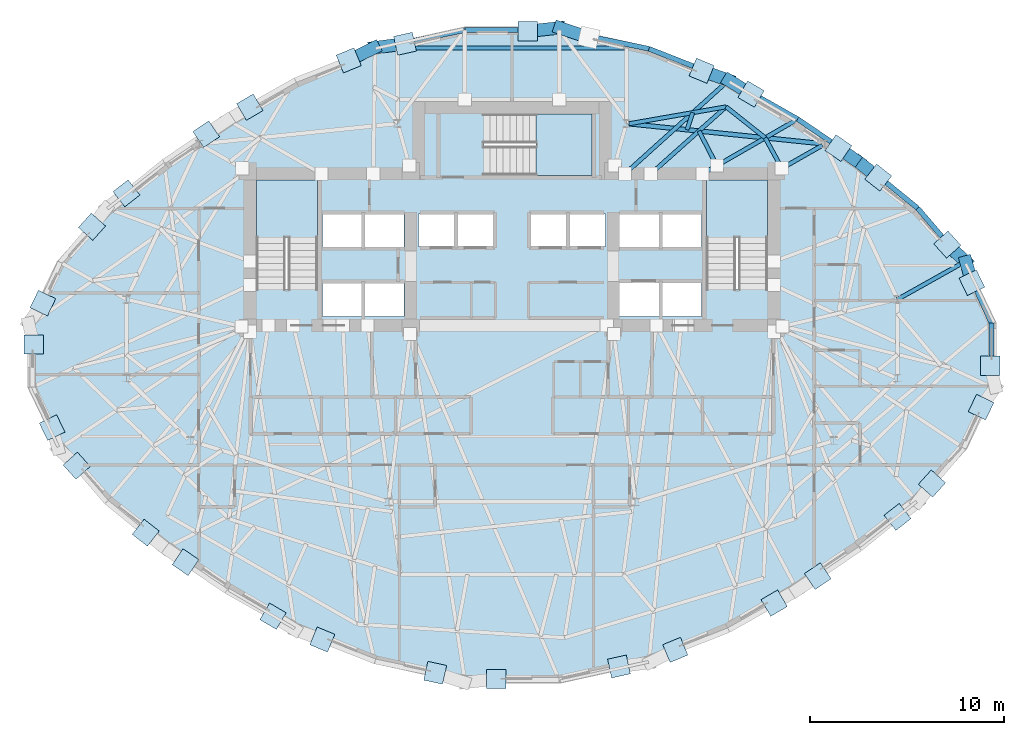
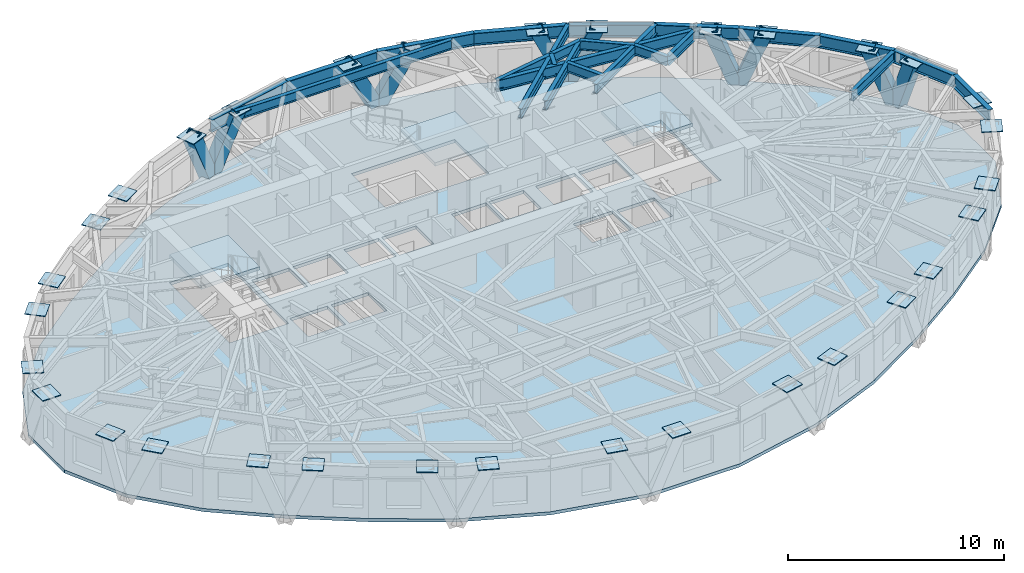
# One storey, part 4 of 14: 31 plates, 22 beams, 10 members, 4 slabs, 3 elements without a shape of their own.
"""IFC4 building model written with IfcOpenShell, lengths in metres."""

from ifc_helpers import new_model, si_unit, direction, frame, origin, origin_2d, place, context, subcontext, project, spatial, polyline, rectangle, hollow_rectangle, i_section, outline, extrude, material, layer, layer_set, material_profile, profile_set, type_object, element, aggregate, save


model = new_model("IFC4")

# Units and contexts
model_context = context("Model", 3, precision=1e-05, world=origin(), true_north=direction((0.0, 1.0)))
body_context = subcontext(model_context, "Body", "Model", "MODEL_VIEW")
ifc_project = project(units=[si_unit("LENGTHUNIT", "METRE"), si_unit("AREAUNIT", "SQUARE_METRE"), si_unit("VOLUMEUNIT", "CUBIC_METRE"), si_unit("PLANEANGLEUNIT", "RADIAN"), si_unit("MASSUNIT", "GRAM", prefix="KILO")], contexts=[model_context])

# Site, building, storey
site_placement = place(None, origin())
site = spatial("IfcSite", under=ifc_project, at=site_placement, CompositionType="ELEMENT")
building_placement = place(site_placement, origin())
building = spatial("IfcBuilding", under=site, at=building_placement, Name="Keldmark Tower", CompositionType="ELEMENT")
storey_placement = place(building_placement, frame((0.0, 0.0, 185.39990234375)))
storey = spatial("IfcBuildingStorey", under=building, at=storey_placement, Name="L51", CompositionType="ELEMENT", Elevation=185.39990234375)

# Members
ifc_material_1 = material(Name="Steel ASTM A572 Grade 50", Category="steel")
ifc_material_profile_1 = material_profile(ifc_material_1, hollow_rectangle(XDim=0.64990234375, YDim=0.64990234375, WallThickness=0.0400390625, at=origin_2d()), Name="BOX650X650X40")
ifc_profile_set_1 = profile_set([ifc_material_profile_1], Name="Steel ASTM A572 Grade 50")
member_type = type_object("IfcMemberType", Name="Diagrid Zone 3 Brace BOX650X650X40", PredefinedType="BRACE", material=ifc_profile_set_1)
member_1_placement = place(storey_placement, frame((23.350830078125, 4.808349609375, -0.260009765625), z_axis=(0.089996271343, -0.321904138841, 0.942485223514), x_axis=(0.963070279152, 0.269250139116, 0.0)))
element("IfcMember", 1, at=member_1_placement, inside=storey, type_object=member_type, Name="L51 Perimeter Diagrid Brace 01A", PredefinedType="BRACE", context=body_context, shape_type="SweptSolid", body=[
    extrude(hollow_rectangle(XDim=0.64990234375, YDim=0.64990234375, WallThickness=0.0400390625, at=origin_2d()), origin(), (0.0, 0.0, 1.0), 3.35302734375),
])
member_2_placement = place(storey_placement, frame((23.353271484375, 4.796875, -0.260009765625), z_axis=(-0.281525209892, 0.260621285285, 0.923482594233), x_axis=(-0.67933756966, -0.733825910178, 0.0)))
element("IfcMember", 2, at=member_2_placement, inside=storey, type_object=member_type, Name="L51 Perimeter Diagrid Brace 01B", PredefinedType="BRACE", context=body_context, shape_type="SweptSolid", body=[
    extrude(hollow_rectangle(XDim=0.64990234375, YDim=0.64990234375, WallThickness=0.0400390625, at=origin_2d()), origin(), (0.0, 0.0, 1.0), 3.422119140625),
])
member_3_placement = place(storey_placement, frame((17.83837890625, 9.92578125, -0.260009765625), z_axis=(0.293490817349, -0.232528970738, 0.927250461256), x_axis=(0.621001812969, 0.78380912746, 0.0)))
element("IfcMember", 3, at=member_3_placement, inside=storey, type_object=member_type, Name="L51 Perimeter Diagrid Brace 02A", PredefinedType="BRACE", context=body_context, shape_type="SweptSolid", body=[
    extrude(hollow_rectangle(XDim=0.64990234375, YDim=0.64990234375, WallThickness=0.0400390625, at=origin_2d()), origin(), (0.0, 0.0, 1.0), 3.408203125),
])
member_4_placement = place(storey_placement, frame((17.8447265625, 9.916015625, -0.260009765625), z_axis=(-0.309430644364, 0.215041416816, 0.926288219391), x_axis=(-0.570680492407, -0.821172196063, 0.0)))
element("IfcMember", 4, at=member_4_placement, inside=storey, type_object=member_type, Name="L51 Perimeter Diagrid Brace 02B", PredefinedType="BRACE", context=body_context, shape_type="SweptSolid", body=[
    extrude(hollow_rectangle(XDim=0.64990234375, YDim=0.64990234375, WallThickness=0.0400390625, at=origin_2d()), origin(), (0.0, 0.0, 1.0), 3.41162109375),
])
member_5_placement = place(storey_placement, frame((11.1455078125, 14.137939453125, -0.260009765625), z_axis=(0.33433872964, -0.206244226975, 0.919609119519), x_axis=(0.525015355941, 0.851092754068, 0.0)))
element("IfcMember", 5, at=member_5_placement, inside=storey, type_object=member_type, Name="L51 Perimeter Diagrid Brace 03A", PredefinedType="BRACE", context=body_context, shape_type="SweptSolid", body=[
    extrude(hollow_rectangle(XDim=0.64990234375, YDim=0.64990234375, WallThickness=0.0400390625, at=origin_2d()), origin(), (0.0, 0.0, 1.0), 3.4365234375),
])
member_6_placement = place(storey_placement, frame((11.1552734375, 14.13134765625, -0.260009765625), z_axis=(-0.400790051436, 0.142220335768, 0.905063926341), x_axis=(-0.334419266323, -0.942424402439, 0.0)))
element("IfcMember", 6, at=member_6_placement, inside=storey, type_object=member_type, Name="L51 Perimeter Diagrid Brace 03B", PredefinedType="BRACE", context=body_context, shape_type="SweptSolid", body=[
    extrude(hollow_rectangle(XDim=0.64990234375, YDim=0.64990234375, WallThickness=0.0400390625, at=origin_2d()), origin(), (0.0, 0.0, 1.0), 3.49169921875),
])
member_7_placement = place(storey_placement, frame((2.437255859375, 16.83837890625, -0.260009765625), z_axis=(0.427772819315, -0.141188481319, 0.892791256565), x_axis=(0.313424400134, 0.949613155659, 0.0)))
element("IfcMember", 7, at=member_7_placement, inside=storey, type_object=member_type, Name="L51 Perimeter Diagrid Brace 04A", PredefinedType="BRACE", context=body_context, shape_type="SweptSolid", body=[
    extrude(hollow_rectangle(XDim=0.64990234375, YDim=0.64990234375, WallThickness=0.0400390625, at=origin_2d()), origin(), (0.0, 0.0, 1.0), 3.53955078125),
])
member_8_placement = place(storey_placement, frame((2.44873046875, 16.836181640625, -0.260009765625), z_axis=(-0.461153767869, -0.050235509887, 0.885897057183), x_axis=(0.10829375195, -0.9941189382, 0.0)))
element("IfcMember", 8, at=member_8_placement, inside=storey, type_object=member_type, Name="L51 Perimeter Diagrid Brace 04B", PredefinedType="BRACE", context=body_context, shape_type="SweptSolid", body=[
    extrude(hollow_rectangle(XDim=0.64990234375, YDim=0.64990234375, WallThickness=0.0400390625, at=origin_2d()), origin(), (0.0, 0.0, 1.0), 3.567138671875),
])
member_9_placement = place(storey_placement, frame((-7.095703125, 15.81103515625, -0.260009765625), z_axis=(0.449219216168, 0.057788243233, 0.891550679866), x_axis=(-0.127590131291, 0.991826980071, 0.0)))
element("IfcMember", 9, at=member_9_placement, inside=storey, type_object=member_type, Name="L51 Perimeter Diagrid Brace 05A", PredefinedType="BRACE", context=body_context, shape_type="SweptSolid", body=[
    extrude(hollow_rectangle(XDim=0.64990234375, YDim=0.64990234375, WallThickness=0.0400390625, at=origin_2d()), origin(), (0.0, 0.0, 1.0), 3.544677734375),
])
member_10_placement = place(storey_placement, frame((-7.083984375, 15.813232421875, -0.260009765625), z_axis=(-0.377487237474, -0.187342404047, 0.906866147339), x_axis=(0.44455162306, -0.895753233003, 0.0)))
element("IfcMember", 10, at=member_10_placement, inside=storey, type_object=member_type, Name="L51 Perimeter Diagrid Brace 05B", PredefinedType="BRACE", context=body_context, shape_type="SweptSolid", body=[
    extrude(hollow_rectangle(XDim=0.64990234375, YDim=0.64990234375, WallThickness=0.0400390625, at=origin_2d()), origin(), (0.0, 0.0, 1.0), 3.484619140625),
])

# Beams
ifc_material_2 = material(Name="Steel ASTM A992 Grade 50", Category="steel")
ifc_material_profile_2 = material_profile(ifc_material_2, i_section(OverallWidth=0.22900390625, OverallDepth=0.612060546875, WebThickness=0.011962890625, FlangeThickness=0.01953125, at=origin_2d()), Name="W24X84")
ifc_profile_set_2 = profile_set([ifc_material_profile_2], Name="Steel ASTM A992 Grade 50")
beam_type_1 = type_object("IfcBeamType", Name="Primary Floor Girder W24X84", PredefinedType="BEAM", material=ifc_profile_set_2)
beam_1_placement = place(storey_placement, frame((15.942138671875, 10.87548828125, 2.714111328125), z_axis=(-0.994702930931, 0.102791435423, 0.0), x_axis=(-0.102791435423, -0.994702930931, 0.0)))
element("IfcBeam", 11, at=beam_1_placement, inside=storey, type_object=beam_type_1, Name="L51 Floor Ring Girder FG-R02", PredefinedType="BEAM", context=body_context, shape_type="SweptSolid", body=[
    extrude(i_section(OverallWidth=0.22900390625, OverallDepth=0.612060546875, WebThickness=0.011962890625, FlangeThickness=0.01953125, at=origin_2d()), origin(), (0.0, 0.0, 1.0), 9.975341796875),
])
ifc_material_3 = material(Name="Steel ASTM A992 Grade 50", Category="steel")
ifc_material_profile_3 = material_profile(ifc_material_3, i_section(OverallWidth=0.2099609375, OverallDepth=0.537109375, WebThickness=0.010986328125, FlangeThickness=0.017333984375, at=origin_2d()), Name="W21X68")
ifc_profile_set_3 = profile_set([ifc_material_profile_3], Name="Steel ASTM A992 Grade 50")
beam_type_2 = type_object("IfcBeamType", Name="Radial Tie Girder W21X68", PredefinedType="BEAM", material=ifc_profile_set_3)
beam_2_placement = place(storey_placement, frame((15.959716796875, 10.791748046875, 2.751708984375), z_axis=(-0.86929527307, -0.494293160197, 0.0), x_axis=(0.494293160197, -0.86929527307, 0.0)))
element("IfcBeam", 12, at=beam_2_placement, inside=storey, type_object=beam_type_2, Name="L51 Floor Radial Girder FG-C02", PredefinedType="BEAM", context=body_context, shape_type="SweptSolid", body=[
    extrude(i_section(OverallWidth=0.2099609375, OverallDepth=0.537109375, WebThickness=0.010986328125, FlangeThickness=0.017333984375, at=origin_2d()), origin(), (0.0, 0.0, 1.0), 2.39453125),
])
beam_3_placement = place(storey_placement, frame((19.828369140625, 2.869140625, 2.751708984375), z_axis=(0.872492831693, 0.488626911502, 0.0), x_axis=(-0.488626911502, 0.872492831693, 0.0)))
element("IfcBeam", 13, at=beam_3_placement, inside=storey, type_object=beam_type_2, Name="L51 Perimeter Column Bracket RT-02", PredefinedType="BEAM", context=body_context, shape_type="SweptSolid", body=[
    extrude(i_section(OverallWidth=0.2099609375, OverallDepth=0.537109375, WebThickness=0.010986328125, FlangeThickness=0.017333984375, at=origin_2d()), origin(), (0.0, 0.0, 1.0), 3.789306640625),
])
beam_4_placement = place(storey_placement, frame((13.878173828125, 9.608154296875, 2.751708984375), z_axis=(-0.478631933321, 0.878015644739, 0.0), x_axis=(-0.878015644739, -0.478631933321, 0.0)))
element("IfcBeam", 14, at=beam_4_placement, inside=storey, type_object=beam_type_2, Name="L51 Framing Pin Header PH-014", PredefinedType="BEAM", context=body_context, shape_type="SweptSolid", body=[
    extrude(i_section(OverallWidth=0.2099609375, OverallDepth=0.537109375, WebThickness=0.010986328125, FlangeThickness=0.017333984375, at=origin_2d()), origin(), (0.0, 0.0, 1.0), 1.786865234375),
])
beam_5_placement = place(storey_placement, frame((9.8037109375, 9.324951171875, 2.751708984375), z_axis=(0.866785686399, 0.498680833654, 0.0), x_axis=(-0.498680833654, 0.866785686399, 0.0)))
element("IfcBeam", 15, at=beam_5_placement, inside=storey, type_object=beam_type_2, Name="L51 Perimeter Radial Tie Girder RT-05", PredefinedType="BEAM", context=body_context, shape_type="SweptSolid", body=[
    extrude(i_section(OverallWidth=0.2099609375, OverallDepth=0.537109375, WebThickness=0.010986328125, FlangeThickness=0.017333984375, at=origin_2d()), origin(), (0.0, 0.0, 1.0), 5.642822265625),
])
beam_6_placement = place(storey_placement, frame((10.537353515625, 9.7470703125, 2.751708984375), z_axis=(-0.459819989597, 0.888012149222, 0.0), x_axis=(-0.888012149222, -0.459819989597, 0.0)))
element("IfcBeam", 16, at=beam_6_placement, inside=storey, type_object=beam_type_2, Name="L51 Framing Pin Header PH-015", PredefinedType="BEAM", context=body_context, shape_type="SweptSolid", body=[
    extrude(i_section(OverallWidth=0.2099609375, OverallDepth=0.537109375, WebThickness=0.010986328125, FlangeThickness=0.017333984375, at=origin_2d()), origin(), (0.0, 0.0, 1.0), 2.007080078125),
])
beam_7_placement = place(storey_placement, frame((7.139404296875, 9.324951171875, 2.751708984375), z_axis=(0.746790428469, 0.665059437906, 0.0), x_axis=(-0.665059437906, 0.746790428469, 0.0)))
element("IfcBeam", 17, at=beam_7_placement, inside=storey, type_object=beam_type_2, Name="L51 Intermediate Radial Step Girder RT-06M", PredefinedType="BEAM", context=body_context, shape_type="SweptSolid", body=[
    extrude(i_section(OverallWidth=0.2099609375, OverallDepth=0.537109375, WebThickness=0.010986328125, FlangeThickness=0.017333984375, at=origin_2d()), origin(), (0.0, 0.0, 1.0), 5.1826171875),
])
beam_8_placement = place(storey_placement, frame((13.02294921875, 11.177001953125, 2.751708984375), z_axis=(-0.78386459882, 0.620931792323, 0.0), x_axis=(-0.620931792323, -0.78386459882, 0.0)))
element("IfcBeam", 18, at=beam_8_placement, inside=storey, type_object=beam_type_2, Name="L51 Local Collector Chord RT-06C", PredefinedType="BEAM", context=body_context, shape_type="SweptSolid", body=[
    extrude(i_section(OverallWidth=0.2099609375, OverallDepth=0.537109375, WebThickness=0.010986328125, FlangeThickness=0.017333984375, at=origin_2d()), origin(), (0.0, 0.0, 1.0), 2.568359375),
])
beam_9_placement = place(storey_placement, frame((-5.880126953125, 15.79541015625, 2.751708984375), z_axis=(1.0, 0.0, 0.0), x_axis=(0.0, 1.0, 0.0)))
element("IfcBeam", 19, at=beam_9_placement, inside=storey, type_object=beam_type_2, Name="L51 North Outer Header Girder FG-TCN-H1", PredefinedType="BEAM", context=body_context, shape_type="SweptSolid", body=[
    extrude(i_section(OverallWidth=0.2099609375, OverallDepth=0.537109375, WebThickness=0.010986328125, FlangeThickness=0.017333984375, at=origin_2d()), origin(), (0.0, 0.0, 1.0), 11.76025390625),
])
beam_10_placement = place(storey_placement, frame((11.009765625, 12.771728515625, 2.751708984375), z_axis=(-0.985112191737, -0.171912680427, 0.0), x_axis=(0.171912680427, -0.985112191737, 0.0)))
element("IfcBeam", 20, at=beam_10_placement, inside=storey, type_object=beam_type_2, Name="L51 Straddling Support Chord RT-06RB", PredefinedType="BEAM", context=body_context, shape_type="SweptSolid", body=[
    extrude(i_section(OverallWidth=0.2099609375, OverallDepth=0.537109375, WebThickness=0.010986328125, FlangeThickness=0.017333984375, at=origin_2d()), origin(), (0.0, 0.0, 1.0), 5.065673828125),
])
beam_11_placement = place(storey_placement, frame((8.996337890625, 11.59326171875, 2.751708984375), z_axis=(0.324874409582, 0.945757166507, 0.0), x_axis=(-0.945757166507, 0.324874409582, 0.0)))
element("IfcBeam", 21, at=beam_11_placement, inside=storey, type_object=beam_type_2, Name="L51 Framing Pin Header PH-033", PredefinedType="BEAM", context=body_context, shape_type="SweptSolid", body=[
    extrude(i_section(OverallWidth=0.2099609375, OverallDepth=0.537109375, WebThickness=0.010986328125, FlangeThickness=0.017333984375, at=origin_2d()), origin(), (0.0, 0.0, 1.0), 0.930419921875),
])
beam_12_placement = place(storey_placement, frame((5.80712890625, 9.324951171875, 2.751708984375), z_axis=(0.742684848338, 0.669641109885, 0.0), x_axis=(-0.669641109885, 0.742684848338, 0.0)))
element("IfcBeam", 22, at=beam_12_placement, inside=storey, type_object=beam_type_2, Name="L51 Perimeter Radial Tie Girder RT-06R", PredefinedType="BEAM", context=body_context, shape_type="SweptSolid", body=[
    extrude(i_section(OverallWidth=0.2099609375, OverallDepth=0.537109375, WebThickness=0.010986328125, FlangeThickness=0.017333984375, at=origin_2d()), origin(), (0.0, 0.0, 1.0), 7.196044921875),
])
ifc_material_4 = material(Name="Steel ASTM A992 Grade 50", Category="steel")
ifc_material_profile_4 = material_profile(ifc_material_4, i_section(OverallWidth=0.256103515625, OverallDepth=0.693115234375, WebThickness=0.014404296875, FlangeThickness=0.023681640625, at=origin_2d()), Name="W27X114")
ifc_profile_set_4 = profile_set([ifc_material_profile_4], Name="Steel ASTM A992 Grade 50")
beam_type_3 = type_object("IfcBeamType", Name="Spandrel Ring Beam W27X114", PredefinedType="SPANDREL", material=ifc_profile_set_4)
beam_13_placement = place(storey_placement, frame((24.658203125, 1.646484375, 2.673583984375), z_axis=(-0.412583132773, 0.91091995178, 0.0), x_axis=(-0.91091995178, -0.412583132773, 0.0)))
element("IfcBeam", 23, at=beam_13_placement, inside=storey, type_object=beam_type_3, Name="L51 Perimeter Spandrel Ring Beam SRB-01", PredefinedType="SPANDREL", context=body_context, shape_type="SweptSolid", body=[
    extrude(i_section(OverallWidth=0.256103515625, OverallDepth=0.693115234375, WebThickness=0.014404296875, FlangeThickness=0.023681640625, at=origin_2d()), origin(), (0.0, 0.0, 1.0), 3.439208984375),
])
beam_14_placement = place(storey_placement, frame((23.2392578125, 4.779296875, 2.673583984375), z_axis=(-0.649680381306, 0.760207473092, 0.0), x_axis=(-0.760207473092, -0.649680381306, 0.0)))
element("IfcBeam", 24, at=beam_14_placement, inside=storey, type_object=beam_type_3, Name="L51 Perimeter Spandrel Ring Beam SRB-02", PredefinedType="SPANDREL", context=body_context, shape_type="SweptSolid", body=[
    extrude(i_section(OverallWidth=0.256103515625, OverallDepth=0.693115234375, WebThickness=0.014404296875, FlangeThickness=0.023681640625, at=origin_2d()), origin(), (0.0, 0.0, 1.0), 3.657958984375),
])
beam_15_placement = place(storey_placement, frame((20.86279296875, 7.56005859375, 2.673583984375), z_axis=(-0.776176722502, 0.630515420467, 0.0), x_axis=(-0.630515420467, -0.776176722502, 0.0)))
element("IfcBeam", 25, at=beam_15_placement, inside=storey, type_object=beam_type_3, Name="L51 Perimeter Spandrel Ring Beam SRB-03", PredefinedType="SPANDREL", context=body_context, shape_type="SweptSolid", body=[
    extrude(i_section(OverallWidth=0.256103515625, OverallDepth=0.693115234375, WebThickness=0.014404296875, FlangeThickness=0.023681640625, at=origin_2d()), origin(), (0.0, 0.0, 1.0), 3.809814453125),
])
beam_16_placement = place(storey_placement, frame((17.90576171875, 9.962158203125, 2.673583984375), z_axis=(-0.82772633423, 0.56113199483, 0.0), x_axis=(-0.56113199483, -0.82772633423, 0.0)))
element("IfcBeam", 26, at=beam_16_placement, inside=storey, type_object=beam_type_3, Name="L51 Perimeter Spandrel Ring Beam SRB-04", PredefinedType="SPANDREL", context=body_context, shape_type="SweptSolid", body=[
    extrude(i_section(OverallWidth=0.256103515625, OverallDepth=0.693115234375, WebThickness=0.014404296875, FlangeThickness=0.023681640625, at=origin_2d()), origin(), (0.0, 0.0, 1.0), 3.879150390625),
])
beam_17_placement = place(storey_placement, frame((14.69482421875, 12.138916015625, 2.673583984375), z_axis=(-0.870331543701, 0.492466246598, 0.0), x_axis=(-0.492466246598, -0.870331543701, 0.0)))
element("IfcBeam", 27, at=beam_17_placement, inside=storey, type_object=beam_type_3, Name="L51 Perimeter Spandrel Ring Beam SRB-05", PredefinedType="SPANDREL", context=body_context, shape_type="SweptSolid", body=[
    extrude(i_section(OverallWidth=0.256103515625, OverallDepth=0.693115234375, WebThickness=0.014404296875, FlangeThickness=0.023681640625, at=origin_2d()), origin(), (0.0, 0.0, 1.0), 4.071044921875),
])
beam_18_placement = place(storey_placement, frame((11.151611328125, 14.143798828125, 2.673583984375), z_axis=(-0.930785156352, 0.365566673418, 0.0), x_axis=(-0.365566673418, -0.930785156352, 0.0)))
element("IfcBeam", 28, at=beam_18_placement, inside=storey, type_object=beam_type_3, Name="L51 Perimeter Spandrel Ring Beam SRB-06", PredefinedType="SPANDREL", context=body_context, shape_type="SweptSolid", body=[
    extrude(i_section(OverallWidth=0.256103515625, OverallDepth=0.693115234375, WebThickness=0.014404296875, FlangeThickness=0.023681640625, at=origin_2d()), origin(), (0.0, 0.0, 1.0), 4.406982421875),
])
beam_19_placement = place(storey_placement, frame((7.049560546875, 15.7548828125, 2.673583984375), z_axis=(-0.979012682263, 0.2037993326, 0.0), x_axis=(-0.2037993326, -0.979012682263, 0.0)))
element("IfcBeam", 29, at=beam_19_placement, inside=storey, type_object=beam_type_3, Name="L51 Perimeter Spandrel Ring Beam SRB-07", PredefinedType="SPANDREL", context=body_context, shape_type="SweptSolid", body=[
    extrude(i_section(OverallWidth=0.256103515625, OverallDepth=0.693115234375, WebThickness=0.014404296875, FlangeThickness=0.023681640625, at=origin_2d()), origin(), (0.0, 0.0, 1.0), 4.719970703125),
])
beam_20_placement = place(storey_placement, frame((2.4287109375, 16.716796875, 2.673583984375), z_axis=(-1.0, 0.0, 0.0), x_axis=(0.0, -1.0, 0.0)))
element("IfcBeam", 30, at=beam_20_placement, inside=storey, type_object=beam_type_3, Name="L51 Perimeter Spandrel Ring Beam SRB-08", PredefinedType="SPANDREL", context=body_context, shape_type="SweptSolid", body=[
    extrude(i_section(OverallWidth=0.256103515625, OverallDepth=0.693115234375, WebThickness=0.014404296875, FlangeThickness=0.023681640625, at=origin_2d()), origin(), (0.0, 0.0, 1.0), 4.857421875),
])
beam_21_placement = place(storey_placement, frame((-2.4287109375, 16.716796875, 2.673583984375), z_axis=(-0.979012682263, -0.2037993326, 0.0), x_axis=(0.2037993326, -0.979012682263, 0.0)))
element("IfcBeam", 31, at=beam_21_placement, inside=storey, type_object=beam_type_3, Name="L51 Perimeter Spandrel Ring Beam SRB-09", PredefinedType="SPANDREL", context=body_context, shape_type="SweptSolid", body=[
    extrude(i_section(OverallWidth=0.256103515625, OverallDepth=0.693115234375, WebThickness=0.014404296875, FlangeThickness=0.023681640625, at=origin_2d()), origin(), (0.0, 0.0, 1.0), 4.719970703125),
])
beam_22_placement = place(storey_placement, frame((24.658203125, -1.646484375, 2.673583984375), z_axis=(0.0, 1.0, 0.0), x_axis=(-1.0, 0.0, 0.0)))
element("IfcBeam", 32, at=beam_22_placement, inside=storey, type_object=beam_type_3, Name="L51 Perimeter Spandrel Ring Beam SRB-32", PredefinedType="SPANDREL", context=body_context, shape_type="SweptSolid", body=[
    extrude(i_section(OverallWidth=0.256103515625, OverallDepth=0.693115234375, WebThickness=0.014404296875, FlangeThickness=0.023681640625, at=origin_2d()), origin(), (0.0, 0.0, 1.0), 3.29296875),
])

# Plates
ifc_material_5 = material(Name="Steel ASTM A572 Grade 50", Category="steel")
ifc_layer_1 = layer(ifc_material_5, 0.044921875)
ifc_layer_set_1 = layer_set([ifc_layer_1], Name="Steel ASTM A572 Grade 50")
plate_type = type_object("IfcPlateType", Name="Diagrid Node Assembly DN04 45 mm", PredefinedType="USERDEFINED", material=ifc_layer_set_1)
for number, where, z_axis, x_axis, name in (
    (33, (23.652587890625, 3.72900390625, 2.877685546875), (0.0, 0.0, 1.0), (-0.43271524133, 0.9015306539, 0.0), "L51 Diagrid Node Assembly 01"),
    (34, (22.389892578125, 5.688720703125, 2.877685546875), (0.0, 0.0, 1.0), (-0.668481835454, 0.743728469045, 0.0), "L51 Diagrid Node Assembly 02"),
    (35, (18.838623046875, 9.13330078125, 2.877685546875), (0.0, 0.0, 1.0), (-0.787580748815, 0.616211460536, 0.0), "L51 Diagrid Node Assembly 03"),
    (36, (16.7890625, 10.649658203125, 2.877685546875), (0.0, 0.0, 1.0), (-0.827766671236, 0.56107248907, 0.0), "L51 Diagrid Node Assembly 04"),
    (37, (12.29443359375, 13.42919921875, 2.877685546875), (0.0, 0.0, 1.0), (-0.862248592329, 0.506485305836, 0.0), "L51 Diagrid Node Assembly 05"),
    (38, (9.755859375, 14.6279296875, 2.877685546875), (0.0, 0.0, 1.0), (-0.924213134976, 0.381877049766, 0.0), "L51 Diagrid Node Assembly 06"),
    (39, (0.8037109375, 16.656982421875, 2.877685546875), (0.0, 0.0, 1.0), (-1.0, 0.0, 0.0), "L51 Diagrid Node Assembly 08"),
    (40, (-5.50341796875, 16.015869140625, 2.877685546875), (0.0, 0.0, 1.0), (-0.976522126798, -0.215417120661, 0.0), "L51 Diagrid Node Assembly 09"),
    (41, (-8.3994140625, 15.160400390625, 2.877685546875), (0.0, 0.0, 1.0), (-0.924213134976, -0.381877049766, 0.0), "L51 Diagrid Node Assembly 10"),
    (42, (-13.485595703125, 12.75439453125, 2.877685546875), (0.0, 0.0, 1.0), (-0.862248592329, -0.506485305836, 0.0), "L51 Diagrid Node Assembly 11"),
    (43, (-15.72705078125, 11.366943359375, 2.877685546875), (0.0, 0.0, 1.0), (-0.827766671236, -0.56107248907, 0.0), "L51 Diagrid Node Assembly 12"),
    (44, (-19.830810546875, 8.322509765625, 2.877685546875), (0.0, 0.0, 1.0), (-0.787580748815, -0.616211460536, 0.0), "L51 Diagrid Node Assembly 13"),
    (45, (-21.60205078125, 6.604736328125, 2.877685546875), (0.0, 0.0, 1.0), (-0.668481835454, -0.743728469045, 0.0), "L51 Diagrid Node Assembly 14"),
    (46, (-24.127685546875, 2.67333984375, 2.877685546875), (0.0, 0.0, 1.0), (-0.43271524133, -0.9015306539, 0.0), "L51 Diagrid Node Assembly 15"),
    (47, (-24.598388671875, 0.54296875, 2.877685546875), (0.0, 0.0, 1.0), (0.0, -1.0, 0.0), "L51 Diagrid Node Assembly 16"),
    (48, (-23.652587890625, -3.72900390625, 2.877685546875), (0.0, 0.0, 1.0), (0.43271524133, -0.9015306539, 0.0), "L51 Diagrid Node Assembly 17"),
    (49, (-22.389892578125, -5.688720703125, 2.877685546875), (0.0, 0.0, 1.0), (0.668481835454, -0.743728469045, 0.0), "L51 Diagrid Node Assembly 18"),
    (50, (-18.838623046875, -9.13330078125, 2.877685546875), (0.0, 0.0, 1.0), (0.787580748815, -0.616211460536, 0.0), "L51 Diagrid Node Assembly 19"),
    (51, (-16.7890625, -10.649658203125, 2.877685546875), (0.0, 0.0, 1.0), (0.827766671236, -0.56107248907, 0.0), "L51 Diagrid Node Assembly 20"),
    (52, (-12.29443359375, -13.42919921875, 2.877685546875), (0.0, 0.0, 1.0), (0.862248592329, -0.506485305836, 0.0), "L51 Diagrid Node Assembly 21"),
    (53, (-9.755859375, -14.6279296875, 2.877685546875), (0.0, 0.0, 1.0), (0.924213134976, -0.381877049766, 0.0), "L51 Diagrid Node Assembly 22"),
    (54, (-3.951416015625, -16.338623046875, 2.877685546875), (0.0, 0.0, 1.0), (0.976522126798, -0.215417120661, 0.0), "L51 Diagrid Node Assembly 23"),
    (55, (-0.8037109375, -16.656982421875, 2.877685546875), (0.0, 0.0, 1.0), (1.0, 0.0, 0.0), "L51 Diagrid Node Assembly 24"),
    (56, (5.50341796875, -16.015869140625, 2.877685546875), (0.0, 0.0, 1.0), (0.976522126798, 0.215417120661, 0.0), "L51 Diagrid Node Assembly 25"),
    (57, (8.3994140625, -15.160400390625, 2.877685546875), (0.0, 0.0, 1.0), (0.924213134976, 0.381877049766, 0.0), "L51 Diagrid Node Assembly 26"),
    (58, (13.485595703125, -12.75439453125, 2.877685546875), (0.0, 0.0, 1.0), (0.862248592329, 0.506485305836, 0.0), "L51 Diagrid Node Assembly 27"),
    (59, (15.72705078125, -11.366943359375, 2.877685546875), (0.0, 0.0, 1.0), (0.827766671236, 0.56107248907, 0.0), "L51 Diagrid Node Assembly 28"),
    (60, (19.830810546875, -8.322509765625, 2.877685546875), (0.0, 0.0, 1.0), (0.787580748815, 0.616211460536, 0.0), "L51 Diagrid Node Assembly 29"),
    (61, (21.60205078125, -6.604736328125, 2.877685546875), (0.0, 0.0, 1.0), (0.668481835454, 0.743728469045, 0.0), "L51 Diagrid Node Assembly 30"),
    (62, (24.127685546875, -2.67333984375, 2.877685546875), (0.0, 0.0, 1.0), (0.43271524133, 0.9015306539, 0.0), "L51 Diagrid Node Assembly 31"),
    (63, (24.598388671875, -0.54296875, 2.877685546875), (0.0, 0.0, 1.0), (0.0, 1.0, 0.0), "L51 Diagrid Node Assembly 32"),
):
    element("IfcPlate", number, at=place(storey_placement, frame(where, z_axis=z_axis, x_axis=x_axis)), inside=storey, type_object=plate_type, Name=name, ObjectType="GUSSET", PredefinedType="USERDEFINED", context=body_context, shape_type="SweptSolid", body=[
        extrude(rectangle(XDim=0.989990234375, YDim=0.989990234375, at=origin_2d()), origin(), (0.0, 0.0, 1.0), 0.044921875),
    ])

# Slab
ifc_material_6 = material(Name="Concrete C35/45", Category="concrete")
ifc_layer_2 = layer(ifc_material_6, 0.179931640625)
ifc_layer_set_2 = layer_set([ifc_layer_2], Name="Concrete C35/45")
slab_type_1 = type_object("IfcSlabType", Name="Hotel and Residential Slab 180 mm", PredefinedType="FLOOR", material=ifc_layer_set_2)
slab_1_placement = place(storey_placement, frame((0.0, 0.0, -0.179931640625)))
element("IfcSlab", 64, at=slab_1_placement, inside=storey, type_object=slab_type_1, Name="L51 Composite Structural Floor Slab", PredefinedType="FLOOR", context=body_context, shape_type="SweptSolid", body=[
    extrude(outline(polyline([(24.9228515625, 1.6640625), (23.41064453125, 4.814208984375), (20.9228515625, 7.58154296875), (17.89111328125, 9.9541015625), (14.682861328125, 12.12890625), (11.18359375, 14.184326171875), (7.1015625, 15.87060546875), (2.45458984375, 16.89599609375), (-2.45458984375, 16.89599609375), (-7.1015625, 15.87060546875), (-11.18359375, 14.184326171875), (-14.682861328125, 12.12890625), (-17.89111328125, 9.9541015625), (-20.9228515625, 7.58154296875), (-23.41064453125, 4.814208984375), (-24.9228515625, 1.6640625), (-24.9228515625, -1.6640625), (-23.41064453125, -4.814208984375), (-20.9228515625, -7.58154296875), (-17.89111328125, -9.9541015625), (-14.682861328125, -12.12890625), (-11.18359375, -14.184326171875), (-7.1015625, -15.87060546875), (-2.45458984375, -16.89599609375), (2.45458984375, -16.89599609375), (7.1015625, -15.87060546875), (11.18359375, -14.184326171875), (14.682861328125, -12.12890625), (17.89111328125, -9.9541015625), (20.9228515625, -7.58154296875), (23.41064453125, -4.814208984375), (24.9228515625, -1.6640625), (24.9228515625, 1.6640625)]), holes=[polyline([(-10.0, 3.385009765625), (-10.0, 9.0), (-13.14990234375, 9.0), (-13.14990234375, 3.385009765625), (-10.0, 3.385009765625)]), polyline([(13.14990234375, 3.385009765625), (13.14990234375, 9.0), (10.0, 9.0), (10.0, 3.385009765625), (13.14990234375, 3.385009765625)]), polyline([(-1.43994140625, 9.25), (4.10498046875, 9.25), (4.10498046875, 12.39990234375), (-1.43994140625, 12.39990234375), (-1.43994140625, 9.25)]), polyline([(-9.75, 2.0), (-7.75, 2.0), (-7.75, 3.699951171875), (-9.75, 3.699951171875), (-9.75, 2.0)]), polyline([(7.75, 2.0), (9.75, 2.0), (9.75, 3.699951171875), (7.75, 3.699951171875), (7.75, 2.0)]), polyline([(5.449951171875, 2.0), (7.550048828125, 2.0), (7.550048828125, 3.75), (5.449951171875, 3.75), (5.449951171875, 2.0)]), polyline([(-4.800048828125, 5.60009765625), (-2.949951171875, 5.60009765625), (-2.949951171875, 7.25), (-4.800048828125, 7.25), (-4.800048828125, 5.60009765625)]), polyline([(-2.800048828125, 5.60009765625), (-0.949951171875, 5.60009765625), (-0.949951171875, 7.25), (-2.800048828125, 7.25), (-2.800048828125, 5.60009765625)]), polyline([(0.949951171875, 5.60009765625), (2.800048828125, 5.60009765625), (2.800048828125, 7.25), (0.949951171875, 7.25), (0.949951171875, 5.60009765625)]), polyline([(2.949951171875, 5.60009765625), (4.800048828125, 5.60009765625), (4.800048828125, 7.25), (2.949951171875, 7.25), (2.949951171875, 5.60009765625)]), polyline([(-9.75, 5.550048828125), (-7.75, 5.550048828125), (-7.75, 7.25), (-9.75, 7.25), (-9.75, 5.550048828125)]), polyline([(-7.550048828125, 5.550048828125), (-5.550048828125, 5.550048828125), (-5.550048828125, 7.25), (-7.550048828125, 7.25), (-7.550048828125, 5.550048828125)]), polyline([(-7.550048828125, 2.0), (-5.550048828125, 2.0), (-5.550048828125, 3.699951171875), (-7.550048828125, 3.699951171875), (-7.550048828125, 2.0)]), polyline([(5.449951171875, 5.550048828125), (7.550048828125, 5.550048828125), (7.550048828125, 7.25), (5.449951171875, 7.25), (5.449951171875, 5.550048828125)]), polyline([(7.75, 5.550048828125), (9.75, 5.550048828125), (9.75, 7.25), (7.75, 7.25), (7.75, 5.550048828125)])]), origin(), (0.0, 0.0, 1.0), 0.179931640625),
])

# Stair, slab
ifc_material_7 = material(Name="Concrete C40/50", Category="concrete")
stair_type = type_object("IfcStairType", Name="Precast Concrete Core Exit Stair", PredefinedType="HALF_TURN_STAIR", material=ifc_material_7)
stair_1_placement = place(storey_placement, origin())
stair_1 = element("IfcStair", 65, at=stair_1_placement, inside=storey, type_object=stair_type, Name="L51 Exit Stair ST1", PredefinedType="HALF_TURN_STAIR")
ifc_material_8 = material(Name="Concrete C40/50", Category="concrete")
ifc_layer_3 = layer(ifc_material_8, 0.199951171875)
ifc_layer_set_3 = layer_set([ifc_layer_3], Name="Concrete C40/50")
slab_type_2 = type_object("IfcSlabType", Name="Reinforced Concrete Stair Landing 200 mm", PredefinedType="LANDING", material=ifc_layer_set_3)
slab_2_placement = place(storey_placement, frame((0.0, 0.0, 1.400146484375)))
slab_2 = element("IfcSlab", 66, at=slab_2_placement, type_object=slab_type_2, Name="ST1 landing 1", PredefinedType="LANDING", context=body_context, shape_type="SweptSolid", body=[
    extrude(outline(polyline([(-10.0, 6.050048828125), (-10.0, 9.0), (-13.14990234375, 9.0), (-13.14990234375, 6.050048828125), (-10.0, 6.050048828125)])), origin(), (0.0, 0.0, 1.0), 0.199951171875),
])
aggregate(stair_1, [slab_2])

stair_2_placement = place(storey_placement, origin())
stair_2 = element("IfcStair", 67, at=stair_2_placement, inside=storey, type_object=stair_type, Name="L51 Exit Stair ST2", PredefinedType="HALF_TURN_STAIR")
slab_3_placement = place(storey_placement, frame((0.0, 0.0, 1.400146484375)))
slab_3 = element("IfcSlab", 68, at=slab_3_placement, type_object=slab_type_2, Name="ST2 landing 1", PredefinedType="LANDING", context=body_context, shape_type="SweptSolid", body=[
    extrude(outline(polyline([(13.14990234375, 6.050048828125), (13.14990234375, 9.0), (10.0, 9.0), (10.0, 6.050048828125), (13.14990234375, 6.050048828125)])), origin(), (0.0, 0.0, 1.0), 0.199951171875),
])
aggregate(stair_2, [slab_3])

stair_3_placement = place(storey_placement, origin())
stair_3 = element("IfcStair", 69, at=stair_3_placement, inside=storey, type_object=stair_type, Name="L51 Exit Stair ST3", PredefinedType="HALF_TURN_STAIR")
slab_4_placement = place(storey_placement, frame((0.0, 0.0, 1.400146484375)))
slab_4 = element("IfcSlab", 70, at=slab_4_placement, type_object=slab_type_2, Name="ST3 landing 1", PredefinedType="LANDING", context=body_context, shape_type="SweptSolid", body=[
    extrude(outline(polyline([(1.22509765625, 9.25), (4.10498046875, 9.25), (4.10498046875, 12.39990234375), (1.22509765625, 12.39990234375), (1.22509765625, 9.25)])), origin(), (0.0, 0.0, 1.0), 0.199951171875),
])
aggregate(stair_3, [slab_4])

save(model, "model.ifc")
